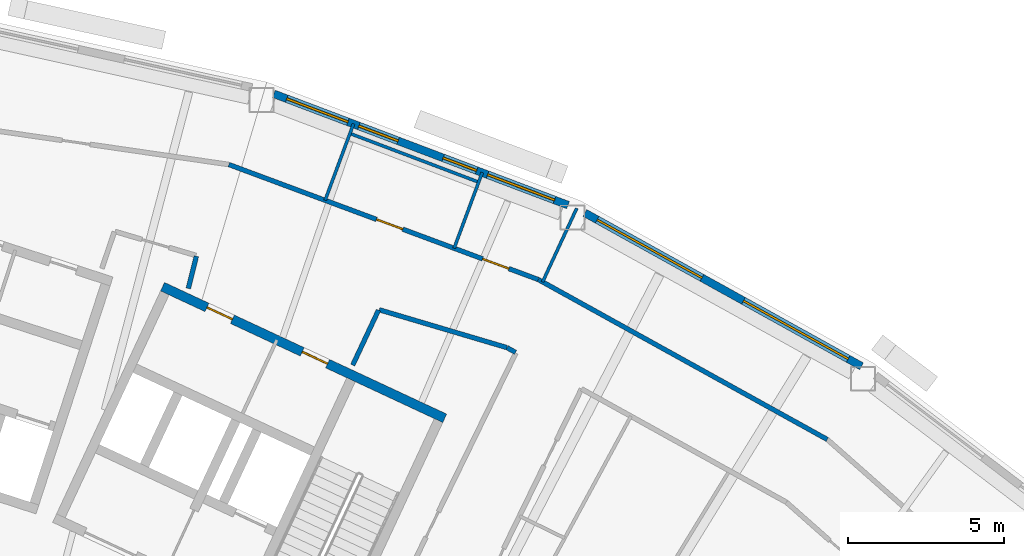
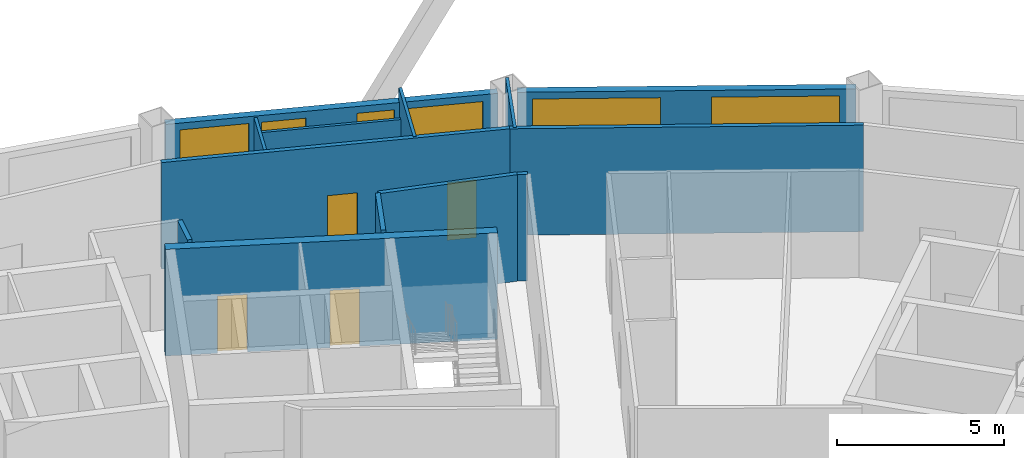
# One storey, part 11 of 14: 13 walls, 6 windows, 4 doors, 10 openings.
"""IFC4 building model written with IfcOpenShell, lengths in metres."""

from ifc_helpers import new_model, si_unit, direction, frame, frame_2d, origin, place, context, subcontext, project, spatial, rectangle, extrude, material, layer, layer_set, type_object, element, fill, save


model = new_model("IFC4")

# Units and contexts
model_context = context("Model", 3, precision=1e-05, world=origin(), true_north=direction((0.0, 1.0)))
body_context = subcontext(model_context, "Body", "Model", "MODEL_VIEW")
ifc_project = project(units=[si_unit("LENGTHUNIT", "METRE"), si_unit("AREAUNIT", "SQUARE_METRE"), si_unit("VOLUMEUNIT", "CUBIC_METRE"), si_unit("PLANEANGLEUNIT", "RADIAN"), si_unit("MASSUNIT", "GRAM", prefix="KILO")], contexts=[model_context])

# Site, building, storey
site_placement = place(None, origin())
site = spatial("IfcSite", under=ifc_project, at=site_placement, CompositionType="ELEMENT")
building_placement = place(site_placement, origin())
building = spatial("IfcBuilding", under=site, at=building_placement, Name="Tuul Gate Civic Tower", CompositionType="ELEMENT")
storey_placement = place(building_placement, frame((0.0, 0.0, 256.800048828125)))
storey = spatial("IfcBuildingStorey", under=building, at=storey_placement, Name="Level 58", CompositionType="ELEMENT", Elevation=256.800048828125)

# Wall, openings, doors
ifc_material_1 = material(Name="Concrete C50/60", Category="concrete")
ifc_layer_1 = layer(ifc_material_1, 0.300048828125)
ifc_layer_set_1 = layer_set([ifc_layer_1], Name="Concrete C50/60")
wall_type_1 = type_object("IfcWallType", Name="Core wall C50/60", PredefinedType="SHEAR", material=ifc_layer_set_1)
wall_1_placement = place(storey_placement, frame((37.993408203125, 0.181884765625, 0.0), z_axis=(0.0, 0.0, 1.0), x_axis=(-0.906310338845, 0.422612789327, 0.0)))
wall_1 = element("IfcWall", 1, at=wall_1_placement, inside=storey, type_object=wall_type_1, Name="Core wall", PredefinedType="SHEAR", context=body_context, shape_type="SweptSolid", body=[
    extrude(rectangle(XDim=9.999755859375, YDim=0.300048828125, at=frame_2d((5.0, 0.0))), origin(), (0.0, 0.0, 1.0), 3.89990234375),
])
opening_1_placement = place(wall_1_placement, frame((4.14990234375, 0.0, 0.0)))
opening_1 = element("IfcOpeningElement", 2, at=opening_1_placement, cuts=wall_1, Name="Opening V-D30", PredefinedType="OPENING", context=body_context, shape_type="SweptSolid", body=[
    extrude(rectangle(XDim=0.89990234375, YDim=2.10009765625, at=frame_2d((0.449951171875, 1.050048828125))), frame((0.0, 0.16015625, 0.0), z_axis=(0.0, -1.0, 0.0), x_axis=(1.0, 0.0, 0.0)), (0.0, 0.0, 1.0), 0.320068359375),
])
opening_2_placement = place(wall_1_placement, frame((7.52490234375, 0.0, 0.0)))
opening_2 = element("IfcOpeningElement", 3, at=opening_2_placement, cuts=wall_1, Name="Opening V-D31", PredefinedType="OPENING", context=body_context, shape_type="SweptSolid", body=[
    extrude(rectangle(XDim=0.89990234375, YDim=2.10009765625, at=frame_2d((0.449951171875, 1.050048828125))), frame((0.0, 0.16015625, 0.0), z_axis=(0.0, -1.0, 0.0), x_axis=(1.0, 0.0, 0.0)), (0.0, 0.0, 1.0), 0.320068359375),
])
ifc_material_2 = material(Name="Timber door leaf", Category="wood")
door_type = type_object("IfcDoorType", Name="Door D09", OperationType="NOTDEFINED", PredefinedType="DOOR", material=ifc_material_2)
door_1_placement = place(opening_1_placement, origin())
door_1 = element("IfcDoor", 4, at=door_1_placement, inside=storey, type_object=door_type, Name="Door V-D30", OperationType="SINGLE_SWING_LEFT", OverallHeight=2.10009765625, OverallWidth=0.89990234375, PredefinedType="DOOR", context=body_context, shape_type="SweptSolid", body=[
    extrude(rectangle(XDim=0.89990234375, YDim=2.10009765625, at=frame_2d((0.449951171875, 1.050048828125))), frame((0.0, 0.02490234375, 0.0), z_axis=(0.0, -1.0, 0.0), x_axis=(1.0, 0.0, 0.0)), (0.0, 0.0, 1.0), 0.050048828125),
])
fill(opening_1, door_1)
door_2_placement = place(opening_2_placement, origin())
door_2 = element("IfcDoor", 5, at=door_2_placement, inside=storey, type_object=door_type, Name="Door V-D31", OperationType="SINGLE_SWING_RIGHT", OverallHeight=2.10009765625, OverallWidth=0.89990234375, PredefinedType="DOOR", context=body_context, shape_type="SweptSolid", body=[
    extrude(rectangle(XDim=0.89990234375, YDim=2.10009765625, at=frame_2d((0.449951171875, 1.050048828125))), frame((0.0, 0.02490234375, 0.0), z_axis=(0.0, -1.0, 0.0), x_axis=(1.0, 0.0, 0.0)), (0.0, 0.0, 1.0), 0.050048828125),
])
fill(opening_2, door_2)

# Wall
ifc_material_3 = material(Name="Gypsum board partition")
ifc_layer_2 = layer(ifc_material_3, 0.14990234375)
ifc_layer_set_2 = layer_set([ifc_layer_2], Name="Gypsum board partition")
wall_type_2 = type_object("IfcWallType", Name="Corridor wall P150", PredefinedType="PARTITIONING", material=ifc_layer_set_2)
wall_2_placement = place(storey_placement, frame((40.9990234375, 4.637451171875, 0.0), z_axis=(0.0, 0.0, 1.0), x_axis=(0.874959368945, -0.484196347254, 0.0)))
element("IfcWall", 6, at=wall_2_placement, inside=storey, type_object=wall_type_2, Name="p003", PredefinedType="PARTITIONING", context=body_context, shape_type="SweptSolid", body=[
    extrude(rectangle(XDim=10.608642578125, YDim=0.14990234375, at=frame_2d((5.30419921875, 0.0))), origin(), (0.0, 0.0, 1.0), 3.89990234375),
])

# Wall, openings, doors
wall_3_placement = place(storey_placement, frame((31.0595703125, 8.331787109375, 0.0), z_axis=(0.0, 0.0, 1.0), x_axis=(0.937347092819, -0.348396939687, 0.0)))
wall_3 = element("IfcWall", 7, at=wall_3_placement, inside=storey, type_object=wall_type_2, Name="p010", PredefinedType="PARTITIONING", context=body_context, shape_type="SweptSolid", body=[
    extrude(rectangle(XDim=10.603759765625, YDim=0.14990234375, at=frame_2d((5.3017578125, 0.0))), origin(), (0.0, 0.0, 1.0), 3.89990234375),
])
opening_3_placement = place(wall_3_placement, frame((5.058837890625, 0.0, 0.0)))
opening_3 = element("IfcOpeningElement", 8, at=opening_3_placement, cuts=wall_3, Name="Opening V-D02", PredefinedType="OPENING", context=body_context, shape_type="SweptSolid", body=[
    extrude(rectangle(XDim=0.89990234375, YDim=2.10009765625, at=frame_2d((0.449951171875, 1.050048828125))), frame((0.0, 0.0849609375, 0.0), z_axis=(0.0, -1.0, 0.0), x_axis=(1.0, 0.0, 0.0)), (0.0, 0.0, 1.0), 0.169921875),
])
opening_4_placement = place(wall_3_placement, frame((8.69677734375, 0.0, 0.0)))
opening_4 = element("IfcOpeningElement", 9, at=opening_4_placement, cuts=wall_3, Name="Opening V-D24", PredefinedType="OPENING", context=body_context, shape_type="SweptSolid", body=[
    extrude(rectangle(XDim=0.89990234375, YDim=2.10009765625, at=frame_2d((0.449951171875, 1.050048828125))), frame((0.0, 0.0849609375, 0.0), z_axis=(0.0, -1.0, 0.0), x_axis=(1.0, 0.0, 0.0)), (0.0, 0.0, 1.0), 0.169921875),
])
door_3_placement = place(opening_3_placement, origin())
door_3 = element("IfcDoor", 10, at=door_3_placement, inside=storey, type_object=door_type, Name="Door V-D02", OperationType="SINGLE_SWING_RIGHT", OverallHeight=2.10009765625, OverallWidth=0.89990234375, PredefinedType="DOOR", context=body_context, shape_type="SweptSolid", body=[
    extrude(rectangle(XDim=0.89990234375, YDim=2.10009765625, at=frame_2d((0.449951171875, 1.050048828125))), frame((0.0, 0.02490234375, 0.0), z_axis=(0.0, -1.0, 0.0), x_axis=(1.0, 0.0, 0.0)), (0.0, 0.0, 1.0), 0.050048828125),
])
fill(opening_3, door_3)
door_4_placement = place(opening_4_placement, origin())
door_4 = element("IfcDoor", 11, at=door_4_placement, inside=storey, type_object=door_type, Name="Door V-D24", OperationType="SINGLE_SWING_LEFT", OverallHeight=2.10009765625, OverallWidth=0.89990234375, PredefinedType="DOOR", context=body_context, shape_type="SweptSolid", body=[
    extrude(rectangle(XDim=0.89990234375, YDim=2.10009765625, at=frame_2d((0.449951171875, 1.050048828125))), frame((0.0, 0.02490234375, 0.0), z_axis=(0.0, -1.0, 0.0), x_axis=(1.0, 0.0, 0.0)), (0.0, 0.0, 1.0), 0.050048828125),
])
fill(opening_4, door_4)

# Walls
wall_4_placement = place(storey_placement, frame((35.890869140625, 3.666748046875, 0.0), z_axis=(0.0, 0.0, 1.0), x_axis=(0.958774502784, -0.284168001033, 0.0)))
element("IfcWall", 12, at=wall_4_placement, inside=storey, type_object=wall_type_2, Name="p084", PredefinedType="PARTITIONING", context=body_context, shape_type="SweptSolid", body=[
    extrude(rectangle(XDim=4.277587890625, YDim=0.14990234375, at=frame_2d((2.138671875, 0.0))), origin(), (0.0, 0.0, 1.0), 3.89990234375),
])
wall_5_placement = place(storey_placement, frame((29.75830078125, 4.353759765625, 0.0), z_axis=(0.0, 0.0, 1.0), x_axis=(0.242104450636, 0.970250191952, 0.0)))
element("IfcWall", 13, at=wall_5_placement, inside=storey, type_object=wall_type_2, Name="p085", PredefinedType="PARTITIONING", context=body_context, shape_type="SweptSolid", body=[
    extrude(rectangle(XDim=1.06591796875, YDim=0.14990234375, at=frame_2d((0.532958984375, 0.0))), origin(), (0.0, 0.0, 1.0), 3.89990234375),
])
wall_6_placement = place(storey_placement, frame((39.99609375, 2.449462890625, 0.0), z_axis=(0.0, 0.0, 1.0), x_axis=(0.87504825114, -0.484035699279, 0.0)))
element("IfcWall", 14, at=wall_6_placement, inside=storey, type_object=wall_type_2, Name="p087", PredefinedType="PARTITIONING", context=body_context, shape_type="SweptSolid", body=[
    extrude(rectangle(XDim=0.309814453125, YDim=0.14990234375, at=frame_2d((0.15478515625, 0.0))), origin(), (0.0, 0.0, 1.0), 3.89990234375),
])
wall_7_placement = place(storey_placement, frame((35.039306640625, 1.89111328125, 0.0), z_axis=(0.0, 0.0, 1.0), x_axis=(0.424578267816, 0.90539123836, 0.0)))
element("IfcWall", 15, at=wall_7_placement, inside=storey, type_object=wall_type_2, Name="p093", PredefinedType="PARTITIONING", context=body_context, shape_type="SweptSolid", body=[
    extrude(rectangle(XDim=1.94921875, YDim=0.14990234375, at=frame_2d((0.974609375, 0.0))), origin(), (0.0, 0.0, 1.0), 3.89990234375),
])

# Wall, openings, windows
ifc_material_4 = material(Name="Precast concrete C40/50", Category="concrete")
ifc_layer_3 = layer(ifc_material_4, 0.25)
ifc_layer_set_3 = layer_set([ifc_layer_3], Name="Precast concrete C40/50")
wall_type_3 = type_object("IfcWallType", Name="External wall", PredefinedType="STANDARD", material=ifc_layer_set_3)
wall_8_placement = place(storey_placement, frame((51.380615234375, 1.85205078125, 0.0), z_axis=(0.0, 0.0, 1.0), x_axis=(-0.87463069098, 0.484789804345, 0.0)))
wall_8 = element("IfcWall", 16, at=wall_8_placement, inside=storey, type_object=wall_type_3, Name="External wall", PredefinedType="STANDARD", context=body_context, shape_type="SweptSolid", body=[
    extrude(rectangle(XDim=10.1591796875, YDim=0.25, at=frame_2d((5.07958984375, 0.0))), origin(), (0.0, 0.0, 1.0), 3.449951171875),
])
opening_5_placement = place(wall_8_placement, frame((0.48779296875, 0.0, 0.89990234375)))
opening_5 = element("IfcOpeningElement", 17, at=opening_5_placement, cuts=wall_8, Name="Opening W22", PredefinedType="OPENING", context=body_context, shape_type="SweptSolid", body=[
    extrude(rectangle(XDim=3.85009765625, YDim=2.300048828125, at=frame_2d((1.925048828125, 1.14990234375))), frame((0.0, 0.135009765625, 0.0), z_axis=(0.0, -1.0, 0.0), x_axis=(1.0, 0.0, 0.0)), (0.0, 0.0, 1.0), 0.27001953125),
])
opening_6_placement = place(wall_8_placement, frame((5.859130859375, 0.0, 0.89990234375)))
opening_6 = element("IfcOpeningElement", 18, at=opening_6_placement, cuts=wall_8, Name="Opening W22", PredefinedType="OPENING", context=body_context, shape_type="SweptSolid", body=[
    extrude(rectangle(XDim=3.85009765625, YDim=2.300048828125, at=frame_2d((1.925048828125, 1.14990234375))), frame((0.0, 0.135009765625, 0.0), z_axis=(0.0, -1.0, 0.0), x_axis=(1.0, 0.0, 0.0)), (0.0, 0.0, 1.0), 0.27001953125),
])
ifc_material_5 = material(Name="Glass", Category="glass")
window_type_1 = type_object("IfcWindowType", Name="Window W22 3850 x 2300", PartitioningType="SINGLE_PANEL", PredefinedType="WINDOW", material=ifc_material_5)
window_1_placement = place(opening_5_placement, origin())
window_1 = element("IfcWindow", 19, at=window_1_placement, inside=storey, type_object=window_type_1, Name="Window", OverallHeight=2.300048828125, OverallWidth=3.85009765625, PartitioningType="SINGLE_PANEL", PredefinedType="WINDOW", context=body_context, shape_type="SweptSolid", body=[
    extrude(rectangle(XDim=3.85009765625, YDim=2.300048828125, at=frame_2d((1.925048828125, 1.14990234375))), frame((0.0, 0.030029296875, 0.0), z_axis=(0.0, -1.0, 0.0), x_axis=(1.0, 0.0, 0.0)), (0.0, 0.0, 1.0), 0.06005859375),
])
fill(opening_5, window_1)
window_2_placement = place(opening_6_placement, origin())
window_2 = element("IfcWindow", 20, at=window_2_placement, inside=storey, type_object=window_type_1, Name="Window", OverallHeight=2.300048828125, OverallWidth=3.85009765625, PartitioningType="SINGLE_PANEL", PredefinedType="WINDOW", context=body_context, shape_type="SweptSolid", body=[
    extrude(rectangle(XDim=3.85009765625, YDim=2.300048828125, at=frame_2d((1.925048828125, 1.14990234375))), frame((0.0, 0.030029296875, 0.0), z_axis=(0.0, -1.0, 0.0), x_axis=(1.0, 0.0, 0.0)), (0.0, 0.0, 1.0), 0.06005859375),
])
fill(opening_6, window_2)

wall_9_placement = place(storey_placement, frame((41.954345703125, 7.028076171875, 0.0), z_axis=(0.0, 0.0, 1.0), x_axis=(-0.935343984789, 0.353739494712, 0.0)))
wall_9 = element("IfcWall", 21, at=wall_9_placement, inside=storey, type_object=wall_type_3, Name="External wall", PredefinedType="STANDARD", context=body_context, shape_type="SweptSolid", body=[
    extrude(rectangle(XDim=10.099365234375, YDim=0.25, at=frame_2d((5.0498046875, 0.0))), origin(), (0.0, 0.0, 1.0), 3.449951171875),
])
opening_7_placement = place(wall_9_placement, frame((5.8349609375, 0.0, 0.89990234375)))
opening_7 = element("IfcOpeningElement", 22, at=opening_7_placement, cuts=wall_9, Name="Opening W66", PredefinedType="OPENING", context=body_context, shape_type="SweptSolid", body=[
    extrude(rectangle(XDim=1.35009765625, YDim=2.300048828125, at=frame_2d((0.675048828125, 1.14990234375))), frame((0.0, 0.135009765625, 0.0), z_axis=(0.0, -1.0, 0.0), x_axis=(1.0, 0.0, 0.0)), (0.0, 0.0, 1.0), 0.27001953125),
])
opening_8_placement = place(wall_9_placement, frame((7.559814453125, 0.0, 0.89990234375)))
opening_8 = element("IfcOpeningElement", 23, at=opening_8_placement, cuts=wall_9, Name="Opening W40", PredefinedType="OPENING", context=body_context, shape_type="SweptSolid", body=[
    extrude(rectangle(XDim=2.10009765625, YDim=2.300048828125, at=frame_2d((1.050048828125, 1.14990234375))), frame((0.0, 0.135009765625, 0.0), z_axis=(0.0, -1.0, 0.0), x_axis=(1.0, 0.0, 0.0)), (0.0, 0.0, 1.0), 0.27001953125),
])
opening_9_placement = place(wall_9_placement, frame((0.46435546875, 0.0, 0.89990234375)))
opening_9 = element("IfcOpeningElement", 24, at=opening_9_placement, cuts=wall_9, Name="Opening W34", PredefinedType="OPENING", context=body_context, shape_type="SweptSolid", body=[
    extrude(rectangle(XDim=2.300048828125, YDim=2.300048828125, at=frame_2d((1.14990234375, 1.14990234375))), frame((0.0, 0.135009765625, 0.0), z_axis=(0.0, -1.0, 0.0), x_axis=(1.0, 0.0, 0.0)), (0.0, 0.0, 1.0), 0.27001953125),
])
opening_10_placement = place(wall_9_placement, frame((3.13916015625, 0.0, 0.89990234375)))
opening_10 = element("IfcOpeningElement", 25, at=opening_10_placement, cuts=wall_9, Name="Opening W43", PredefinedType="OPENING", context=body_context, shape_type="SweptSolid", body=[
    extrude(rectangle(XDim=1.14990234375, YDim=2.300048828125, at=frame_2d((0.574951171875, 1.14990234375))), frame((0.0, 0.135009765625, 0.0), z_axis=(0.0, -1.0, 0.0), x_axis=(1.0, 0.0, 0.0)), (0.0, 0.0, 1.0), 0.27001953125),
])
ifc_material_6 = material(Name="Glass", Category="glass")
window_type_2 = type_object("IfcWindowType", Name="Window 1150 x 2300", PartitioningType="SINGLE_PANEL", PredefinedType="WINDOW", material=ifc_material_6)
window_3_placement = place(opening_10_placement, origin())
window_3 = element("IfcWindow", 26, at=window_3_placement, inside=storey, type_object=window_type_2, Name="Window", OverallHeight=2.300048828125, OverallWidth=1.14990234375, PartitioningType="SINGLE_PANEL", PredefinedType="WINDOW", context=body_context, shape_type="SweptSolid", body=[
    extrude(rectangle(XDim=1.14990234375, YDim=2.300048828125, at=frame_2d((0.574951171875, 1.14990234375))), frame((0.0, 0.030029296875, 0.0), z_axis=(0.0, -1.0, 0.0), x_axis=(1.0, 0.0, 0.0)), (0.0, 0.0, 1.0), 0.06005859375),
])
fill(opening_10, window_3)
ifc_material_7 = material(Name="Glass", Category="glass")
window_type_3 = type_object("IfcWindowType", Name="Window 1350 x 2300", PartitioningType="SINGLE_PANEL", PredefinedType="WINDOW", material=ifc_material_7)
window_4_placement = place(opening_7_placement, origin())
window_4 = element("IfcWindow", 27, at=window_4_placement, inside=storey, type_object=window_type_3, Name="Window", OverallHeight=2.300048828125, OverallWidth=1.35009765625, PartitioningType="SINGLE_PANEL", PredefinedType="WINDOW", context=body_context, shape_type="SweptSolid", body=[
    extrude(rectangle(XDim=1.35009765625, YDim=2.300048828125, at=frame_2d((0.675048828125, 1.14990234375))), frame((0.0, 0.030029296875, 0.0), z_axis=(0.0, -1.0, 0.0), x_axis=(1.0, 0.0, 0.0)), (0.0, 0.0, 1.0), 0.06005859375),
])
fill(opening_7, window_4)
ifc_material_8 = material(Name="Glass", Category="glass")
window_type_4 = type_object("IfcWindowType", Name="Window 2100 x 2300", PartitioningType="SINGLE_PANEL", PredefinedType="WINDOW", material=ifc_material_8)
window_5_placement = place(opening_8_placement, origin())
window_5 = element("IfcWindow", 28, at=window_5_placement, inside=storey, type_object=window_type_4, Name="Window", OverallHeight=2.300048828125, OverallWidth=2.10009765625, PartitioningType="SINGLE_PANEL", PredefinedType="WINDOW", context=body_context, shape_type="SweptSolid", body=[
    extrude(rectangle(XDim=2.10009765625, YDim=2.300048828125, at=frame_2d((1.050048828125, 1.14990234375))), frame((0.0, 0.030029296875, 0.0), z_axis=(0.0, -1.0, 0.0), x_axis=(1.0, 0.0, 0.0)), (0.0, 0.0, 1.0), 0.06005859375),
])
fill(opening_8, window_5)
ifc_material_9 = material(Name="Glass", Category="glass")
window_type_5 = type_object("IfcWindowType", Name="Window 2300 x 2300", PartitioningType="SINGLE_PANEL", PredefinedType="WINDOW", material=ifc_material_9)
window_6_placement = place(opening_9_placement, origin())
window_6 = element("IfcWindow", 29, at=window_6_placement, inside=storey, type_object=window_type_5, Name="Window", OverallHeight=2.300048828125, OverallWidth=2.300048828125, PartitioningType="SINGLE_PANEL", PredefinedType="WINDOW", context=body_context, shape_type="SweptSolid", body=[
    extrude(rectangle(XDim=2.300048828125, YDim=2.300048828125, at=frame_2d((1.14990234375, 1.14990234375))), frame((0.0, 0.030029296875, 0.0), z_axis=(0.0, -1.0, 0.0), x_axis=(1.0, 0.0, 0.0)), (0.0, 0.0, 1.0), 0.06005859375),
])
fill(opening_9, window_6)

# Walls
ifc_material_10 = material(Name="Gypsum board partition")
ifc_layer_4 = layer(ifc_material_10, 0.10009765625)
ifc_layer_set_4 = layer_set([ifc_layer_4], Name="Gypsum board partition")
wall_type_4 = type_object("IfcWallType", Name="Partition P100", PredefinedType="PARTITIONING", material=ifc_layer_set_4)
wall_10_placement = place(storey_placement, frame((41.136962890625, 4.56103515625, 0.0), z_axis=(0.0, 0.0, 1.0), x_axis=(0.420357646675, 0.907358500749, 0.0)))
element("IfcWall", 30, at=wall_10_placement, inside=storey, type_object=wall_type_4, Name="p008", PredefinedType="PARTITIONING", context=body_context, shape_type="SweptSolid", body=[
    extrude(rectangle(XDim=2.6083984375, YDim=0.10009765625, at=frame_2d((1.30419921875, 0.0))), origin(), (0.0, 0.0, 1.0), 3.89990234375),
])
wall_11_placement = place(storey_placement, frame((38.294677734375, 5.642578125, 0.0), z_axis=(0.0, 0.0, 1.0), x_axis=(0.348410881789, 0.937341910645, 0.0)))
element("IfcWall", 31, at=wall_11_placement, inside=storey, type_object=wall_type_4, Name="p011", PredefinedType="PARTITIONING", context=body_context, shape_type="SweptSolid", body=[
    extrude(rectangle(XDim=2.595458984375, YDim=0.10009765625, at=frame_2d((1.2978515625, 0.0))), origin(), (0.0, 0.0, 1.0), 3.89990234375),
])
ifc_material_11 = material(Name="Gypsum board partition")
ifc_layer_5 = layer(ifc_material_11, 0.10009765625)
ifc_layer_set_5 = layer_set([ifc_layer_5], Name="Gypsum board partition")
wall_type_5 = type_object("IfcWallType", Name="Partition P100 3000 HIGH", PredefinedType="PARTITIONING", material=ifc_layer_set_5)
wall_12_placement = place(storey_placement, frame((34.94970703125, 9.32958984375, 0.0), z_axis=(0.0, 0.0, 1.0), x_axis=(0.935349489242, -0.353724939713, 0.0)))
element("IfcWall", 32, at=wall_12_placement, inside=storey, type_object=wall_type_5, Name="p103", PredefinedType="PARTITIONING", context=body_context, shape_type="SweptSolid", body=[
    extrude(rectangle(XDim=4.419921875, YDim=0.10009765625, at=frame_2d((2.2099609375, 0.0))), origin(), (0.0, 0.0, 1.0), 3.0),
])
ifc_material_12 = material(Name="Gypsum board partition")
ifc_layer_6 = layer(ifc_material_12, 0.10009765625)
ifc_layer_set_6 = layer_set([ifc_layer_6], Name="Gypsum board partition")
wall_type_6 = type_object("IfcWallType", Name="Partition P100 3400 HIGH", PredefinedType="PARTITIONING", material=ifc_layer_set_6)
wall_13_placement = place(storey_placement, frame((34.151611328125, 7.1826171875, 0.0), z_axis=(0.0, 0.0, 1.0), x_axis=(0.348436806024, 0.937332274174, 0.0)))
element("IfcWall", 33, at=wall_13_placement, inside=storey, type_object=wall_type_6, Name="p009", PredefinedType="PARTITIONING", context=body_context, shape_type="SweptSolid", body=[
    extrude(rectangle(XDim=2.62060546875, YDim=0.10009765625, at=frame_2d((1.310302734375, 0.0))), origin(), (0.0, 0.0, 1.0), 3.39990234375),
])

save(model, "model.ifc")
